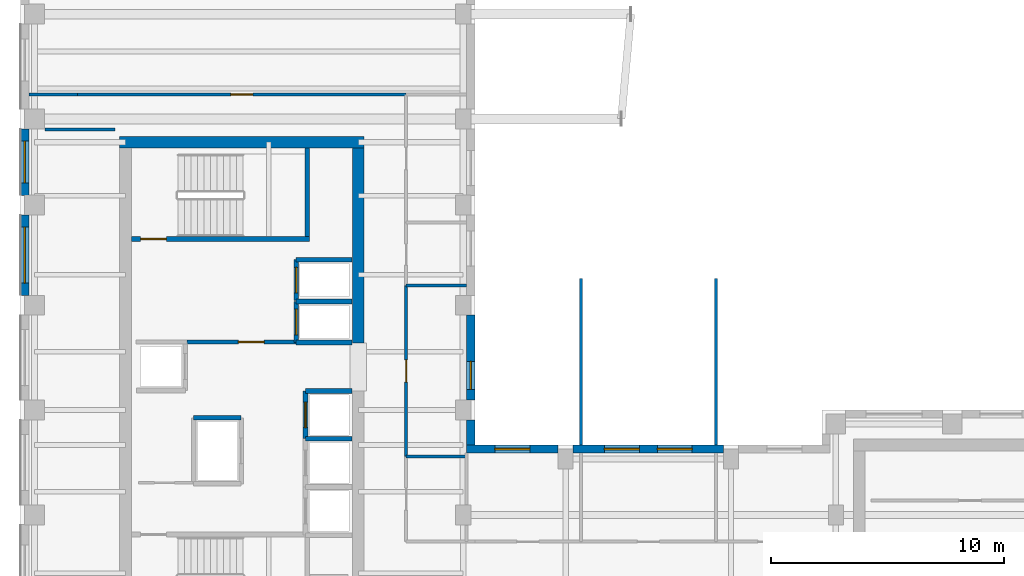
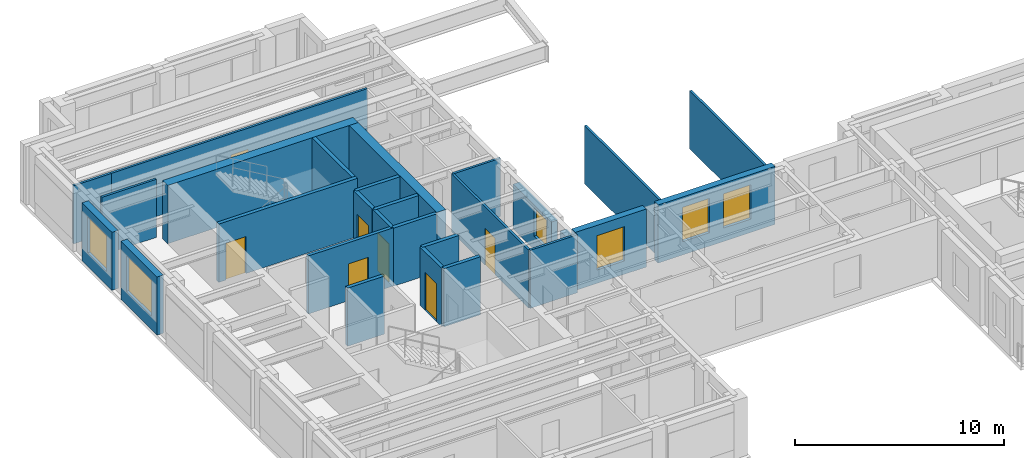
# One storey, part 6 of 11: 28 walls, 7 doors, 6 windows, 13 openings.
"""IFC4 building model written with IfcOpenShell, lengths in metres."""

from ifc_helpers import new_model, si_unit, direction, frame, frame_2d, origin, place, context, subcontext, project, spatial, rectangle, extrude, source, transform, mapped, material, layer, layer_set, type_object, element, fill, save


model = new_model("IFC4")

# Units and contexts
model_context = context("Model", 3, precision=1e-05, world=origin(), true_north=direction((0.0, 1.0)))
body_context = subcontext(model_context, "Body", "Model", "MODEL_VIEW")
ifc_project = project(units=[si_unit("LENGTHUNIT", "METRE"), si_unit("AREAUNIT", "SQUARE_METRE"), si_unit("VOLUMEUNIT", "CUBIC_METRE"), si_unit("PLANEANGLEUNIT", "RADIAN"), si_unit("MASSUNIT", "GRAM", prefix="KILO")], contexts=[model_context])

# Site, building, storey
site_placement = place(None, origin())
site = spatial("IfcSite", under=ifc_project, at=site_placement, CompositionType="ELEMENT")
building_placement = place(site_placement, origin())
building = spatial("IfcBuilding", under=site, at=building_placement, Name="Kharzan Plaza Tower", CompositionType="ELEMENT")
storey_placement = place(building_placement, frame((0.0, 0.0, 234.0)))
storey = spatial("IfcBuildingStorey", under=building, at=storey_placement, Name="L63", CompositionType="ELEMENT", Elevation=234.0)

# Wall, opening, window
ifc_material_1 = material(Name="Concrete C40/50", Category="concrete")
ifc_layer_1 = layer(ifc_material_1, 0.35009765625)
ifc_layer_set_1 = layer_set([ifc_layer_1], Name="Concrete C40/50")
wall_type_1 = type_object("IfcWallType", Name="WL-EXT-MAS-Z4", PredefinedType="SOLIDWALL", material=ifc_layer_set_1)
wall_1_placement = place(storey_placement, frame((19.324951171875, 18.423095703125, 0.0), z_axis=(0.0, 0.0, 1.0), x_axis=(0.0, 1.0, 0.0)))
wall_1 = element("IfcWall", 1, at=wall_1_placement, inside=storey, type_object=wall_type_1, Name="L63 Masonry-Frame Exterior Wall 02", PredefinedType="SOLIDWALL", context=body_context, shape_type="SweptSolid", body=[
    extrude(rectangle(XDim=3.65380859375, YDim=0.35009765625, at=frame_2d((1.826904296875, 0.0))), origin(), (0.0, 0.0, 1.0), 2.618896484375),
])
opening_1_placement = place(wall_1_placement, frame((0.469970703125, 0.0, 0.780029296875)))
opening_1 = element("IfcOpeningElement", 2, at=opening_1_placement, cuts=wall_1, Name="Opening W3", PredefinedType="OPENING", context=body_context, shape_type="SweptSolid", body=[
    extrude(rectangle(XDim=1.199951171875, YDim=1.658935546875, at=frame_2d((0.60009765625, 0.82958984375))), frame((0.0, 0.18505859375, 0.0), z_axis=(0.0, -1.0, 0.0), x_axis=(1.0, 0.0, 0.0)), (0.0, 0.0, 1.0), 0.3701171875),
])
ifc_material_2 = material(Name="Low-E Double Glazing", Category="glass")
window_type_1 = type_object("IfcWindowType", Name="WN-REC-1200x2100", PartitioningType="SINGLE_PANEL", PredefinedType="WINDOW", material=ifc_material_2)
shared_shape_1 = source(origin(), body_context, "Body", "SweptSolid", [
    extrude(rectangle(XDim=1.199951171875, YDim=1.658935546875, at=frame_2d((0.60009765625, 0.82958984375))), frame((0.0, 0.030029296875, 0.0), z_axis=(0.0, -1.0, 0.0), x_axis=(1.0, 0.0, 0.0)), (0.0, 0.0, 1.0), 0.06005859375),
])
window_1_placement = place(opening_1_placement, origin())
window_1 = element("IfcWindow", 3, at=window_1_placement, inside=storey, type_object=window_type_1, Name="L63 Recessed Solar-Control Window 02-1", OverallHeight=1.658935546875, OverallWidth=1.199951171875, PartitioningType="SINGLE_PANEL", PredefinedType="WINDOW", context=body_context, shape_type="MappedRepresentation", body=[
    mapped(shared_shape_1, transform((0.0, 0.0, 0.0), x_axis=(1.0, 0.0, 0.0), y_axis=(0.0, 1.0, 0.0), z_axis=(0.0, 0.0, 1.0))),
])
fill(opening_1, window_1)

wall_2_placement = place(storey_placement, frame((0.175048828125, 30.076904296875, 0.0), z_axis=(0.0, 0.0, 1.0), x_axis=(0.0, -1.0, 0.0)))
wall_2 = element("IfcWall", 4, at=wall_2_placement, inside=storey, type_object=wall_type_1, Name="L63 Masonry-Frame Exterior Wall 17", PredefinedType="SOLIDWALL", context=body_context, shape_type="SweptSolid", body=[
    extrude(rectangle(XDim=2.85400390625, YDim=0.35009765625, at=frame_2d((1.427001953125, 0.0))), origin(), (0.0, 0.0, 1.0), 3.385009765625),
])
opening_2_placement = place(wall_2_placement, frame((0.527099609375, 0.0, 0.780029296875)))
opening_2 = element("IfcOpeningElement", 5, at=opening_2_placement, cuts=wall_2, Name="Opening W1", PredefinedType="OPENING", context=body_context, shape_type="SweptSolid", body=[
    extrude(rectangle(XDim=1.800048828125, YDim=2.10009765625, at=frame_2d((0.89990234375, 1.050048828125))), frame((0.0, 0.18505859375, 0.0), z_axis=(0.0, -1.0, 0.0), x_axis=(1.0, 0.0, 0.0)), (0.0, 0.0, 1.0), 0.3701171875),
])
window_type_2 = type_object("IfcWindowType", Name="WN-REC-1800x2100", PartitioningType="SINGLE_PANEL", PredefinedType="WINDOW", material=ifc_material_2)
shared_shape_2 = source(origin(), body_context, "Body", "SweptSolid", [
    extrude(rectangle(XDim=1.800048828125, YDim=2.10009765625, at=frame_2d((0.89990234375, 1.050048828125))), frame((0.0, 0.030029296875, 0.0), z_axis=(0.0, -1.0, 0.0), x_axis=(1.0, 0.0, 0.0)), (0.0, 0.0, 1.0), 0.06005859375),
])
window_2_placement = place(opening_2_placement, origin())
window_2 = element("IfcWindow", 6, at=window_2_placement, inside=storey, type_object=window_type_2, Name="L63 Recessed Solar-Control Window 17-1", OverallHeight=2.10009765625, OverallWidth=1.800048828125, PartitioningType="SINGLE_PANEL", PredefinedType="WINDOW", context=body_context, shape_type="MappedRepresentation", body=[
    mapped(shared_shape_2, transform((0.0, 0.0, 0.0), x_axis=(1.0, 0.0, 0.0), y_axis=(0.0, 1.0, 0.0), z_axis=(0.0, 0.0, 1.0))),
])
fill(opening_2, window_2)

wall_3_placement = place(storey_placement, frame((0.175048828125, 26.376953125, 0.0), z_axis=(0.0, 0.0, 1.0), x_axis=(0.0, -1.0, 0.0)))
wall_3 = element("IfcWall", 7, at=wall_3_placement, inside=storey, type_object=wall_type_1, Name="L63 Masonry-Frame Exterior Wall 18", PredefinedType="SOLIDWALL", context=body_context, shape_type="SweptSolid", body=[
    extrude(rectangle(XDim=3.453857421875, YDim=0.35009765625, at=frame_2d((1.72705078125, 0.0))), origin(), (0.0, 0.0, 1.0), 3.385009765625),
])
opening_3_placement = place(wall_3_placement, frame((0.527099609375, 0.0, 0.780029296875)))
opening_3 = element("IfcOpeningElement", 8, at=opening_3_placement, cuts=wall_3, Name="Opening W2", PredefinedType="OPENING", context=body_context, shape_type="SweptSolid", body=[
    extrude(rectangle(XDim=2.39990234375, YDim=2.10009765625, at=frame_2d((1.199951171875, 1.050048828125))), frame((0.0, 0.18505859375, 0.0), z_axis=(0.0, -1.0, 0.0), x_axis=(1.0, 0.0, 0.0)), (0.0, 0.0, 1.0), 0.3701171875),
])
window_type_3 = type_object("IfcWindowType", Name="WN-REC-2400x2100", PartitioningType="SINGLE_PANEL", PredefinedType="WINDOW", material=ifc_material_2)
shared_shape_3 = source(origin(), body_context, "Body", "SweptSolid", [
    extrude(rectangle(XDim=2.39990234375, YDim=2.10009765625, at=frame_2d((1.199951171875, 1.050048828125))), frame((0.0, 0.030029296875, 0.0), z_axis=(0.0, -1.0, 0.0), x_axis=(1.0, 0.0, 0.0)), (0.0, 0.0, 1.0), 0.06005859375),
])
window_3_placement = place(opening_3_placement, origin())
window_3 = element("IfcWindow", 9, at=window_3_placement, inside=storey, type_object=window_type_3, Name="L63 Wide Recessed Solar-Control Window 18-1", OverallHeight=2.10009765625, OverallWidth=2.39990234375, PartitioningType="SINGLE_PANEL", PredefinedType="WINDOW", context=body_context, shape_type="MappedRepresentation", body=[
    mapped(shared_shape_3, transform((0.0, 0.0, 0.0), x_axis=(1.0, 0.0, 0.0), y_axis=(0.0, 1.0, 0.0), z_axis=(0.0, 0.0, 1.0))),
])
fill(opening_3, window_3)

# Wall, openings, windows
wall_4_placement = place(storey_placement, frame((30.177001953125, 16.324951171875, 0.0), z_axis=(0.0, 0.0, 1.0), x_axis=(-1.0, 0.0, 0.0)))
wall_4 = element("IfcWall", 10, at=wall_4_placement, inside=storey, type_object=wall_type_1, Name="L63 Masonry-Frame Exterior Wall 49", PredefinedType="SOLIDWALL", context=body_context, shape_type="SweptSolid", body=[
    extrude(rectangle(XDim=6.4541015625, YDim=0.35009765625, at=frame_2d((3.22705078125, 0.0))), origin(), (0.0, 0.0, 1.0), 3.385009765625),
])
opening_4_placement = place(wall_4_placement, frame((1.34375, 0.0, 0.780029296875)))
opening_4 = element("IfcOpeningElement", 11, at=opening_4_placement, cuts=wall_4, Name="Opening W5", PredefinedType="OPENING", context=body_context, shape_type="SweptSolid", body=[
    extrude(rectangle(XDim=1.5, YDim=2.0, at=frame_2d((0.75, 1.0))), frame((0.0, 0.18505859375, 0.0), z_axis=(0.0, -1.0, 0.0), x_axis=(1.0, 0.0, 0.0)), (0.0, 0.0, 1.0), 0.3701171875),
])
opening_5_placement = place(wall_4_placement, frame((3.6103515625, 0.0, 0.780029296875)))
opening_5 = element("IfcOpeningElement", 12, at=opening_5_placement, cuts=wall_4, Name="Opening W5", PredefinedType="OPENING", context=body_context, shape_type="SweptSolid", body=[
    extrude(rectangle(XDim=1.5, YDim=2.0, at=frame_2d((0.75, 1.0))), frame((0.0, 0.18505859375, 0.0), z_axis=(0.0, -1.0, 0.0), x_axis=(1.0, 0.0, 0.0)), (0.0, 0.0, 1.0), 0.3701171875),
])
window_type_4 = type_object("IfcWindowType", Name="WN-SLT-1500x2000", PartitioningType="SINGLE_PANEL", PredefinedType="WINDOW", material=ifc_material_2)
shared_shape_4 = source(origin(), body_context, "Body", "SweptSolid", [
    extrude(rectangle(XDim=1.5, YDim=2.0, at=frame_2d((0.75, 1.0))), frame((0.0, 0.030029296875, 0.0), z_axis=(0.0, -1.0, 0.0), x_axis=(1.0, 0.0, 0.0)), (0.0, 0.0, 1.0), 0.06005859375),
])
window_4_placement = place(opening_4_placement, origin())
window_4 = element("IfcWindow", 13, at=window_4_placement, inside=storey, type_object=window_type_4, Name="L63 Recessed Solar-Control Window 49-1", OverallHeight=2.0, OverallWidth=1.5, PartitioningType="SINGLE_PANEL", PredefinedType="WINDOW", context=body_context, shape_type="MappedRepresentation", body=[
    mapped(shared_shape_4, transform((0.0, 0.0, 0.0), x_axis=(1.0, 0.0, 0.0), y_axis=(0.0, 1.0, 0.0), z_axis=(0.0, 0.0, 1.0))),
])
fill(opening_4, window_4)
window_5_placement = place(opening_5_placement, origin())
window_5 = element("IfcWindow", 14, at=window_5_placement, inside=storey, type_object=window_type_4, Name="L63 Recessed Solar-Control Window 49-2", OverallHeight=2.0, OverallWidth=1.5, PartitioningType="SINGLE_PANEL", PredefinedType="WINDOW", context=body_context, shape_type="MappedRepresentation", body=[
    mapped(shared_shape_4, transform((0.0, 0.0, 0.0), x_axis=(1.0, 0.0, 0.0), y_axis=(0.0, 1.0, 0.0), z_axis=(0.0, 0.0, 1.0))),
])
fill(opening_5, window_5)

# Wall, opening, window
wall_5_placement = place(storey_placement, frame((23.076904296875, 16.324951171875, 0.0), z_axis=(0.0, 0.0, 1.0), x_axis=(-1.0, 0.0, 0.0)))
wall_5 = element("IfcWall", 15, at=wall_5_placement, inside=storey, type_object=wall_type_1, Name="L63 Masonry-Frame Exterior Wall 50", PredefinedType="SOLIDWALL", context=body_context, shape_type="SweptSolid", body=[
    extrude(rectangle(XDim=3.927001953125, YDim=0.35009765625, at=frame_2d((1.96337890625, 0.0))), origin(), (0.0, 0.0, 1.0), 3.385009765625),
])
opening_6_placement = place(wall_5_placement, frame((1.21337890625, 0.0, 0.780029296875)))
opening_6 = element("IfcOpeningElement", 16, at=opening_6_placement, cuts=wall_5, Name="Opening W5", PredefinedType="OPENING", context=body_context, shape_type="SweptSolid", body=[
    extrude(rectangle(XDim=1.5, YDim=2.0, at=frame_2d((0.75, 1.0))), frame((0.0, 0.18505859375, 0.0), z_axis=(0.0, -1.0, 0.0), x_axis=(1.0, 0.0, 0.0)), (0.0, 0.0, 1.0), 0.3701171875),
])
window_6_placement = place(opening_6_placement, origin())
window_6 = element("IfcWindow", 17, at=window_6_placement, inside=storey, type_object=window_type_4, Name="L63 Recessed Solar-Control Window 50-1", OverallHeight=2.0, OverallWidth=1.5, PartitioningType="SINGLE_PANEL", PredefinedType="WINDOW", context=body_context, shape_type="MappedRepresentation", body=[
    mapped(shared_shape_4, transform((0.0, 0.0, 0.0), x_axis=(1.0, 0.0, 0.0), y_axis=(0.0, 1.0, 0.0), z_axis=(0.0, 0.0, 1.0))),
])
fill(opening_6, window_6)

# Wall, opening, door
ifc_layer_2 = layer(ifc_material_1, 0.179931640625)
ifc_layer_set_2 = layer_set([ifc_layer_2], Name="Concrete C40/50")
wall_type_2 = type_object("IfcWallType", Name="WL-INT-FIRE-180", PredefinedType="PARTITIONING", material=ifc_layer_set_2)
wall_6_placement = place(storey_placement, frame((7.14990234375, 20.919921875, 0.0), z_axis=(0.0, 0.0, 1.0), x_axis=(1.0, 0.0, 0.0)))
wall_6 = element("IfcWall", 18, at=wall_6_placement, inside=storey, type_object=wall_type_2, Name="L63 Interior Partition CA-FF-S", PredefinedType="PARTITIONING", context=body_context, shape_type="SweptSolid", body=[
    extrude(rectangle(XDim=4.68017578125, YDim=0.179931640625, at=frame_2d((2.340087890625, 0.0))), origin(), (0.0, 0.0, 1.0), 3.385009765625),
])
opening_7_placement = place(wall_6_placement, frame((2.199951171875, 0.0, 0.0)))
opening_7 = element("IfcOpeningElement", 19, at=opening_7_placement, cuts=wall_6, Name="Opening FD1", PredefinedType="OPENING", context=body_context, shape_type="SweptSolid", body=[
    extrude(rectangle(XDim=1.10009765625, YDim=2.14990234375, at=frame_2d((0.550048828125, 1.074951171875))), frame((0.0, 0.099853515625, 0.0), z_axis=(0.0, -1.0, 0.0), x_axis=(1.0, 0.0, 0.0)), (0.0, 0.0, 1.0), 0.199951171875),
])
ifc_material_3 = material(Name="Fire-Rated Acoustic Vision-Panel Steel", Category="steel")
door_type_1 = type_object("IfcDoorType", Name="DR-FIRE-LOBBY", OperationType="NOTDEFINED", PredefinedType="DOOR", material=ifc_material_3)
shared_shape_5 = source(origin(), body_context, "Body", "SweptSolid", [
    extrude(rectangle(XDim=1.10009765625, YDim=2.14990234375, at=frame_2d((0.550048828125, 1.074951171875))), frame((0.0, 0.02490234375, 0.0), z_axis=(0.0, -1.0, 0.0), x_axis=(1.0, 0.0, 0.0)), (0.0, 0.0, 1.0), 0.050048828125),
])
door_1_placement = place(opening_7_placement, origin())
door_1 = element("IfcDoor", 20, at=door_1_placement, inside=storey, type_object=door_type_1, Name="L63 Firefighting Lobby Door", OperationType="SINGLE_SWING_RIGHT", OverallHeight=2.14990234375, OverallWidth=1.10009765625, PredefinedType="DOOR", context=body_context, shape_type="MappedRepresentation", body=[
    mapped(shared_shape_5, transform((0.0, 0.0, 0.0), x_axis=(1.0, 0.0, 0.0), y_axis=(0.0, 1.0, 0.0), z_axis=(0.0, 0.0, 1.0))),
])
fill(opening_7, door_1)

ifc_material_4 = material(Name="Fire-Rated Gypsum Board Partition", Category="gypsum")
ifc_layer_3 = layer(ifc_material_4, 0.125)
ifc_layer_set_3 = layer_set([ifc_layer_3], Name="Fire-Rated Gypsum Board Partition")
wall_type_3 = type_object("IfcWallType", Name="WL-INT-PART-125", PredefinedType="PARTITIONING", material=ifc_layer_set_3)
wall_7_placement = place(storey_placement, frame((16.550048828125, 16.0, 0.0), z_axis=(0.0, 0.0, 1.0), x_axis=(0.0, 1.0, 0.0)))
wall_7 = element("IfcWall", 21, at=wall_7_placement, inside=storey, type_object=wall_type_3, Name="L63 Interior Partition SH-AEWN2", PredefinedType="PARTITIONING", context=body_context, shape_type="SweptSolid", body=[
    extrude(rectangle(XDim=7.35009765625, YDim=0.125, at=frame_2d((3.675048828125, 0.0))), origin(), (0.0, 0.0, 1.0), 3.385009765625),
])
opening_8_placement = place(wall_7_placement, frame((3.199951171875, 0.0, 0.0)))
opening_8 = element("IfcOpeningElement", 22, at=opening_8_placement, cuts=wall_7, Name="Opening OD1", PredefinedType="OPENING", context=body_context, shape_type="SweptSolid", body=[
    extrude(rectangle(XDim=0.949951171875, YDim=2.14990234375, at=frame_2d((0.47509765625, 1.074951171875))), frame((0.0, 0.072509765625, 0.0), z_axis=(0.0, -1.0, 0.0), x_axis=(1.0, 0.0, 0.0)), (0.0, 0.0, 1.0), 0.14501953125),
])
ifc_material_5 = material(Name="Acoustic Solid-Core Stained Oak", Category="timber")
door_type_2 = type_object("IfcDoorType", Name="DR-OFF-SINGLE", OperationType="NOTDEFINED", PredefinedType="DOOR", material=ifc_material_5)
shared_shape_6 = source(origin(), body_context, "Body", "SweptSolid", [
    extrude(rectangle(XDim=0.949951171875, YDim=2.14990234375, at=frame_2d((0.47509765625, 1.074951171875))), frame((0.0, 0.02490234375, 0.0), z_axis=(0.0, -1.0, 0.0), x_axis=(1.0, 0.0, 0.0)), (0.0, 0.0, 1.0), 0.050048828125),
])
door_2_placement = place(opening_8_placement, origin())
door_2 = element("IfcDoor", 23, at=door_2_placement, inside=storey, type_object=door_type_2, Name="L63 Slot Studio Door", OperationType="SINGLE_SWING_LEFT", OverallHeight=2.14990234375, OverallWidth=0.949951171875, PredefinedType="DOOR", context=body_context, shape_type="MappedRepresentation", body=[
    mapped(shared_shape_6, transform((0.0, 0.0, 0.0), x_axis=(1.0, 0.0, 0.0), y_axis=(0.0, 1.0, 0.0), z_axis=(0.0, 0.0, 1.0))),
])
fill(opening_8, door_2)

wall_8_placement = place(storey_placement, frame((2.449951171875, 31.550048828125, 0.0), z_axis=(0.0, 0.0, 1.0), x_axis=(1.0, 0.0, 0.0)))
wall_8 = element("IfcWall", 24, at=wall_8_placement, inside=storey, type_object=wall_type_3, Name="L63 Interior Partition SH-NN-1", PredefinedType="PARTITIONING", context=body_context, shape_type="SweptSolid", body=[
    extrude(rectangle(XDim=14.10009765625, YDim=0.125, at=frame_2d((7.050048828125, 0.0))), origin(), (0.0, 0.0, 1.0), 3.385009765625),
])
opening_9_placement = place(wall_8_placement, frame((6.574951171875, 0.0, 0.0)))
opening_9 = element("IfcOpeningElement", 25, at=opening_9_placement, cuts=wall_8, Name="Opening OD1", PredefinedType="OPENING", context=body_context, shape_type="SweptSolid", body=[
    extrude(rectangle(XDim=0.949951171875, YDim=2.14990234375, at=frame_2d((0.47509765625, 1.074951171875))), frame((0.0, 0.072509765625, 0.0), z_axis=(0.0, -1.0, 0.0), x_axis=(1.0, 0.0, 0.0)), (0.0, 0.0, 1.0), 0.14501953125),
])
door_3_placement = place(opening_9_placement, origin())
door_3 = element("IfcDoor", 26, at=door_3_placement, inside=storey, type_object=door_type_2, Name="L63 Staff Tea Pantry Door", OperationType="SINGLE_SWING_RIGHT", OverallHeight=2.14990234375, OverallWidth=0.949951171875, PredefinedType="DOOR", context=body_context, shape_type="MappedRepresentation", body=[
    mapped(shared_shape_6, transform((0.0, 0.0, 0.0), x_axis=(1.0, 0.0, 0.0), y_axis=(0.0, 1.0, 0.0), z_axis=(0.0, 0.0, 1.0))),
])
fill(opening_9, door_3)

ifc_layer_4 = layer(ifc_material_1, 0.199951171875)
ifc_layer_set_4 = layer_set([ifc_layer_4], Name="Concrete C40/50")
wall_type_4 = type_object("IfcWallType", Name="WL-INT-SHAFT-200", PredefinedType="PARTITIONING", material=ifc_layer_set_4)
wall_9_placement = place(storey_placement, frame((11.830078125, 20.89990234375, 0.0), z_axis=(0.0, 0.0, 1.0), x_axis=(0.0, 1.0, 0.0)))
wall_9 = element("IfcWall", 27, at=wall_9_placement, inside=storey, type_object=wall_type_4, Name="L63 Interior Partition SHF-FFL-1-W", PredefinedType="PARTITIONING", context=body_context, shape_type="SweptSolid", body=[
    extrude(rectangle(XDim=1.760009765625, YDim=0.199951171875, at=frame_2d((0.8798828125, 0.0))), origin(), (0.0, 0.0, 1.0), 3.385009765625),
])
opening_10_placement = place(wall_9_placement, frame((0.330078125, 0.0, 0.0)))
opening_10 = element("IfcOpeningElement", 28, at=opening_10_placement, cuts=wall_9, Name="Opening LD", PredefinedType="OPENING", context=body_context, shape_type="SweptSolid", body=[
    extrude(rectangle(XDim=1.10009765625, YDim=2.199951171875, at=frame_2d((0.550048828125, 1.10009765625))), frame((0.0, 0.10986328125, 0.0), z_axis=(0.0, -1.0, 0.0), x_axis=(1.0, 0.0, 0.0)), (0.0, 0.0, 1.0), 0.219970703125),
])
ifc_material_6 = material(Name="Brushed Stainless Steel", Category="steel")
door_type_3 = type_object("IfcDoorType", Name="DR-LIFT-SLIDE", OperationType="SLIDING_TO_LEFT", PredefinedType="DOOR", material=ifc_material_6)
shared_shape_7 = source(origin(), body_context, "Body", "SweptSolid", [
    extrude(rectangle(XDim=1.10009765625, YDim=2.199951171875, at=frame_2d((0.550048828125, 1.10009765625))), frame((0.0, 0.02490234375, 0.0), z_axis=(0.0, -1.0, 0.0), x_axis=(1.0, 0.0, 0.0)), (0.0, 0.0, 1.0), 0.050048828125),
])
door_4_placement = place(opening_10_placement, origin())
door_4 = element("IfcDoor", 29, at=door_4_placement, inside=storey, type_object=door_type_3, Name="L63 Firefighting Lift FFL-1 Sliding Landing Door", OperationType="SLIDING_TO_LEFT", OverallHeight=2.199951171875, OverallWidth=1.10009765625, PredefinedType="DOOR", context=body_context, shape_type="MappedRepresentation", body=[
    mapped(shared_shape_7, transform((0.0, 0.0, 0.0), x_axis=(1.0, 0.0, 0.0), y_axis=(0.0, 1.0, 0.0), z_axis=(0.0, 0.0, 1.0))),
])
fill(opening_10, door_4)

wall_10_placement = place(storey_placement, frame((11.830078125, 22.699951171875, 0.0), z_axis=(0.0, 0.0, 1.0), x_axis=(0.0, 1.0, 0.0)))
wall_10 = element("IfcWall", 30, at=wall_10_placement, inside=storey, type_object=wall_type_4, Name="L63 Interior Partition SHF-FFL-2-W", PredefinedType="PARTITIONING", context=body_context, shape_type="SweptSolid", body=[
    extrude(rectangle(XDim=1.760009765625, YDim=0.199951171875, at=frame_2d((0.8798828125, 0.0))), origin(), (0.0, 0.0, 1.0), 3.385009765625),
])
opening_11_placement = place(wall_10_placement, frame((0.330078125, 0.0, 0.0)))
opening_11 = element("IfcOpeningElement", 31, at=opening_11_placement, cuts=wall_10, Name="Opening LD", PredefinedType="OPENING", context=body_context, shape_type="SweptSolid", body=[
    extrude(rectangle(XDim=1.10009765625, YDim=2.199951171875, at=frame_2d((0.550048828125, 1.10009765625))), frame((0.0, 0.10986328125, 0.0), z_axis=(0.0, -1.0, 0.0), x_axis=(1.0, 0.0, 0.0)), (0.0, 0.0, 1.0), 0.219970703125),
])
door_5_placement = place(opening_11_placement, origin())
door_5 = element("IfcDoor", 32, at=door_5_placement, inside=storey, type_object=door_type_3, Name="L63 Firefighting Lift FFL-2 Sliding Landing Door", OperationType="SLIDING_TO_LEFT", OverallHeight=2.199951171875, OverallWidth=1.10009765625, PredefinedType="DOOR", context=body_context, shape_type="MappedRepresentation", body=[
    mapped(shared_shape_7, transform((0.0, 0.0, 0.0), x_axis=(1.0, 0.0, 0.0), y_axis=(0.0, 1.0, 0.0), z_axis=(0.0, 0.0, 1.0))),
])
fill(opening_11, door_5)

wall_11_placement = place(storey_placement, frame((12.22998046875, 16.77001953125, 0.0), z_axis=(0.0, 0.0, 1.0), x_axis=(0.0, 1.0, 0.0)))
wall_11 = element("IfcWall", 33, at=wall_11_placement, inside=storey, type_object=wall_type_4, Name="L63 Interior Partition SHF-PL-H3-W", PredefinedType="PARTITIONING", context=body_context, shape_type="SweptSolid", body=[
    extrude(rectangle(XDim=2.050048828125, YDim=0.199951171875, at=frame_2d((1.02490234375, 0.0))), origin(), (0.0, 0.0, 1.0), 3.385009765625),
])
opening_12_placement = place(wall_11_placement, frame((0.47509765625, 0.0, 0.0)))
opening_12 = element("IfcOpeningElement", 34, at=opening_12_placement, cuts=wall_11, Name="Opening LD", PredefinedType="OPENING", context=body_context, shape_type="SweptSolid", body=[
    extrude(rectangle(XDim=1.10009765625, YDim=2.199951171875, at=frame_2d((0.550048828125, 1.10009765625))), frame((0.0, 0.10986328125, 0.0), z_axis=(0.0, -1.0, 0.0), x_axis=(1.0, 0.0, 0.0)), (0.0, 0.0, 1.0), 0.219970703125),
])
door_6_placement = place(opening_12_placement, origin())
door_6 = element("IfcDoor", 35, at=door_6_placement, inside=storey, type_object=door_type_3, Name="L63 High-Rise Passenger Lift PL-H3 Sliding Landing Door", OperationType="SLIDING_TO_LEFT", OverallHeight=2.199951171875, OverallWidth=1.10009765625, PredefinedType="DOOR", context=body_context, shape_type="MappedRepresentation", body=[
    mapped(shared_shape_7, transform((0.0, 0.0, 0.0), x_axis=(1.0, 0.0, 0.0), y_axis=(0.0, 1.0, 0.0), z_axis=(0.0, 0.0, 1.0))),
])
fill(opening_12, door_6)

ifc_material_7 = material(Name="Concrete C50/60", Category="concrete")
ifc_layer_5 = layer(ifc_material_7, 0.199951171875)
ifc_layer_set_5 = layer_set([ifc_layer_5], Name="Concrete C50/60")
wall_type_5 = type_object("IfcWallType", Name="WL-SHAFT-RC200", PredefinedType="SHEAR", material=ifc_layer_set_5)
wall_12_placement = place(storey_placement, frame((4.751953125, 25.344970703125, 0.0), z_axis=(0.0, 0.0, 1.0), x_axis=(1.0, 0.0, 0.0)))
wall_12 = element("IfcWall", 36, at=wall_12_placement, inside=storey, type_object=wall_type_5, Name="L63 Stair ST-2 South RC Shaft Wall", PredefinedType="SHEAR", context=body_context, shape_type="SweptSolid", body=[
    extrude(rectangle(XDim=7.653076171875, YDim=0.199951171875, at=frame_2d((3.82666015625, 0.0))), origin(), (0.0, 0.0, 1.0), 3.39990234375),
])
opening_13_placement = place(wall_12_placement, frame((0.39990234375, 0.0, 0.0)))
opening_13 = element("IfcOpeningElement", 37, at=opening_13_placement, cuts=wall_12, Name="Opening SD1", PredefinedType="OPENING", context=body_context, shape_type="SweptSolid", body=[
    extrude(rectangle(XDim=1.10009765625, YDim=2.14990234375, at=frame_2d((0.550048828125, 1.074951171875))), frame((0.0, 0.10986328125, 0.0), z_axis=(0.0, -1.0, 0.0), x_axis=(1.0, 0.0, 0.0)), (0.0, 0.0, 1.0), 0.219970703125),
])
ifc_material_8 = material(Name="Fire-Rated Hollow Galvanized Steel", Category="steel")
door_type_4 = type_object("IfcDoorType", Name="DR-STAIR-FD120", OperationType="NOTDEFINED", PredefinedType="DOOR", material=ifc_material_8)
shared_shape_8 = source(origin(), body_context, "Body", "SweptSolid", [
    extrude(rectangle(XDim=1.10009765625, YDim=2.14990234375, at=frame_2d((0.550048828125, 1.074951171875))), frame((0.0, 0.02490234375, 0.0), z_axis=(0.0, -1.0, 0.0), x_axis=(1.0, 0.0, 0.0)), (0.0, 0.0, 1.0), 0.050048828125),
])
door_7_placement = place(opening_13_placement, origin())
door_7 = element("IfcDoor", 38, at=door_7_placement, inside=storey, type_object=door_type_4, Name="L63 Stair ST-2 Fire Exit Door", OperationType="SINGLE_SWING_LEFT", OverallHeight=2.14990234375, OverallWidth=1.10009765625, PredefinedType="DOOR", context=body_context, shape_type="MappedRepresentation", body=[
    mapped(shared_shape_8, transform((0.0, 0.0, 0.0), x_axis=(1.0, 0.0, 0.0), y_axis=(0.0, 1.0, 0.0), z_axis=(0.0, 0.0, 1.0))),
])
fill(opening_13, door_7)

# Walls
shared_shape_9 = source(origin(), body_context, "Body", "SweptSolid", [
    extrude(rectangle(XDim=2.097900390625, YDim=0.125, at=frame_2d((1.048828125, 0.0))), origin(), (0.0, 0.0, 1.0), 3.385009765625),
])
wall_13_placement = place(storey_placement, frame((0.35205078125, 31.550048828125, 0.0), z_axis=(0.0, 0.0, 1.0), x_axis=(1.0, 0.0, 0.0)))
element("IfcWall", 39, at=wall_13_placement, inside=storey, type_object=wall_type_3, Name="L63 Interior Partition SH-NNW0", PredefinedType="PARTITIONING", context=body_context, shape_type="MappedRepresentation", body=[
    mapped(shared_shape_9, transform((0.0, 0.0, 0.0), x_axis=(1.0, 0.0, 0.0), y_axis=(0.0, 1.0, 0.0), z_axis=(0.0, 0.0, 1.0))),
])
shared_shape_10 = source(origin(), body_context, "Body", "SweptSolid", [
    extrude(rectangle(XDim=2.0400390625, YDim=0.199951171875, at=frame_2d((1.02001953125, 0.0))), origin(), (0.0, 0.0, 1.0), 3.385009765625),
])
wall_14_placement = place(storey_placement, frame((7.429931640625, 17.669921875, 0.0), z_axis=(0.0, 0.0, 1.0), x_axis=(1.0, 0.0, 0.0)))
element("IfcWall", 40, at=wall_14_placement, inside=storey, type_object=wall_type_4, Name="L63 Interior Partition SHF-SVL-1-N", PredefinedType="PARTITIONING", context=body_context, shape_type="MappedRepresentation", body=[
    mapped(shared_shape_10, transform((0.0, 0.0, 0.0), x_axis=(1.0, 0.0, 0.0), y_axis=(0.0, 1.0, 0.0), z_axis=(0.0, 0.0, 1.0))),
])
shared_shape_11 = source(origin(), body_context, "Body", "SweptSolid", [
    extrude(rectangle(XDim=2.597900390625, YDim=0.125, at=frame_2d((1.298828125, 0.0))), origin(), (0.0, 0.0, 1.0), 3.385009765625),
])
wall_15_placement = place(storey_placement, frame((16.550048828125, 23.35009765625, 0.0), z_axis=(0.0, 0.0, 1.0), x_axis=(1.0, 0.0, 0.0)))
element("IfcWall", 41, at=wall_15_placement, inside=storey, type_object=wall_type_3, Name="L63 Interior Partition SH-AEH-233", PredefinedType="PARTITIONING", context=body_context, shape_type="MappedRepresentation", body=[
    mapped(shared_shape_11, transform((0.0, 0.0, 0.0), x_axis=(1.0, 0.0, 0.0), y_axis=(0.0, 1.0, 0.0), z_axis=(0.0, 0.0, 1.0))),
])
shared_shape_12 = source(origin(), body_context, "Body", "SweptSolid", [
    extrude(rectangle(XDim=2.599853515625, YDim=0.125, at=frame_2d((1.2998046875, 0.0))), origin(), (0.0, 0.0, 1.0), 3.385009765625),
])
wall_16_placement = place(storey_placement, frame((16.550048828125, 16.0, 0.0), z_axis=(0.0, 0.0, 1.0), x_axis=(1.0, 0.0, 0.0)))
element("IfcWall", 42, at=wall_16_placement, inside=storey, type_object=wall_type_3, Name="L63 Interior Partition SH-AEH-160", PredefinedType="PARTITIONING", context=body_context, shape_type="MappedRepresentation", body=[
    mapped(shared_shape_12, transform((0.0, 0.0, 0.0), x_axis=(1.0, 0.0, 0.0), y_axis=(0.0, 1.0, 0.0), z_axis=(0.0, 0.0, 1.0))),
])
shared_shape_13 = source(origin(), body_context, "Body", "SweptSolid", [
    extrude(rectangle(XDim=3.0, YDim=0.125, at=frame_2d((1.5, 0.0))), origin(), (0.0, 0.0, 1.0), 3.385009765625),
])
wall_17_placement = place(storey_placement, frame((1.050048828125, 30.050048828125, 0.0), z_axis=(0.0, 0.0, 1.0), x_axis=(1.0, 0.0, 0.0)))
element("IfcWall", 43, at=wall_17_placement, inside=storey, type_object=wall_type_3, Name="L63 Interior Partition SH-RWN0", PredefinedType="PARTITIONING", context=body_context, shape_type="MappedRepresentation", body=[
    mapped(shared_shape_13, transform((0.0, 0.0, 0.0), x_axis=(1.0, 0.0, 0.0), y_axis=(0.0, 1.0, 0.0), z_axis=(0.0, 0.0, 1.0))),
])
shared_shape_14 = source(origin(), body_context, "Body", "SweptSolid", [
    extrude(rectangle(XDim=2.389892578125, YDim=0.199951171875, at=frame_2d((1.19482421875, 0.0))), origin(), (0.0, 0.0, 1.0), 3.385009765625),
])
for number, where, z_axis, x_axis, name in (
    (44, (11.830078125, 22.659912109375, 0.0), (0.0, 0.0, 1.0), (1.0, 0.0, 0.0), "L63 Interior Partition SHF-FFL-1-N"),
    (45, (11.830078125, 20.89990234375, 0.0), (0.0, 0.0, 1.0), (1.0, 0.0, 0.0), "L63 Interior Partition SHF-FFL-1-S"),
    (46, (11.830078125, 24.4599609375, 0.0), (0.0, 0.0, 1.0), (1.0, 0.0, 0.0), "L63 Interior Partition SHF-FFL-2-N"),
):
    element("IfcWall", number, at=place(storey_placement, frame(where, z_axis=z_axis, x_axis=x_axis)), inside=storey, type_object=wall_type_4, Name=name, PredefinedType="PARTITIONING", context=body_context, shape_type="MappedRepresentation", body=[
        mapped(shared_shape_14, transform((0.0, 0.0, 0.0), x_axis=(1.0, 0.0, 0.0), y_axis=(0.0, 1.0, 0.0), z_axis=(0.0, 0.0, 1.0))),
    ])
shared_shape_15 = source(origin(), body_context, "Body", "SweptSolid", [
    extrude(rectangle(XDim=1.989990234375, YDim=0.199951171875, at=frame_2d((0.9951171875, 0.0))), origin(), (0.0, 0.0, 1.0), 3.385009765625),
])
for number, where, z_axis, x_axis, name in (
    (47, (12.22998046875, 16.77001953125, 0.0), (0.0, 0.0, 1.0), (1.0, 0.0, 0.0), "L63 Interior Partition SHF-PL-H2-N"),
    (48, (12.22998046875, 18.820068359375, 0.0), (0.0, 0.0, 1.0), (1.0, 0.0, 0.0), "L63 Interior Partition SHF-PL-H3-N"),
):
    element("IfcWall", number, at=place(storey_placement, frame(where, z_axis=z_axis, x_axis=x_axis)), inside=storey, type_object=wall_type_4, Name=name, PredefinedType="PARTITIONING", context=body_context, shape_type="MappedRepresentation", body=[
        mapped(shared_shape_15, transform((0.0, 0.0, 0.0), x_axis=(1.0, 0.0, 0.0), y_axis=(0.0, 1.0, 0.0), z_axis=(0.0, 0.0, 1.0))),
    ])
ifc_layer_6 = layer(ifc_material_7, 0.5)
ifc_layer_set_6 = layer_set([ifc_layer_6], Name="Concrete C50/60")
wall_type_6 = type_object("IfcWallType", Name="WL-CORE-500", PredefinedType="SHEAR", material=ifc_layer_set_6)
shared_shape_16 = source(origin(), body_context, "Body", "SweptSolid", [
    extrude(rectangle(XDim=8.3701171875, YDim=0.5, at=frame_2d((4.18505859375, 0.0))), origin(), (0.0, 0.0, 1.0), 3.39990234375),
])
wall_18_placement = place(storey_placement, frame((14.5, 20.8798828125, 0.0), z_axis=(0.0, 0.0, 1.0), x_axis=(0.0, 1.0, 0.0)))
element("IfcWall", 49, at=wall_18_placement, inside=storey, type_object=wall_type_6, Name="L63 CORE-A east shear pier 2", PredefinedType="SHEAR", context=body_context, shape_type="MappedRepresentation", body=[
    mapped(shared_shape_16, transform((0.0, 0.0, 0.0), x_axis=(1.0, 0.0, 0.0), y_axis=(0.0, 1.0, 0.0), z_axis=(0.0, 0.0, 1.0))),
])
shared_shape_17 = source(origin(), body_context, "Body", "SweptSolid", [
    extrude(rectangle(XDim=10.5, YDim=0.5, at=frame_2d((5.25, 0.0))), origin(), (0.0, 0.0, 1.0), 3.39990234375),
])
wall_19_placement = place(storey_placement, frame((4.25, 29.5, 0.0), z_axis=(0.0, 0.0, 1.0), x_axis=(1.0, 0.0, 0.0)))
element("IfcWall", 50, at=wall_19_placement, inside=storey, type_object=wall_type_6, Name="L63 CORE-A north RC shear wall", PredefinedType="SHEAR", context=body_context, shape_type="MappedRepresentation", body=[
    mapped(shared_shape_17, transform((0.0, 0.0, 0.0), x_axis=(1.0, 0.0, 0.0), y_axis=(0.0, 1.0, 0.0), z_axis=(0.0, 0.0, 1.0))),
])
shared_shape_18 = source(origin(), body_context, "Body", "SweptSolid", [
    extrude(rectangle(XDim=3.802978515625, YDim=0.199951171875, at=frame_2d((1.9013671875, 0.0))), origin(), (0.0, 0.0, 1.0), 3.39990234375),
])
wall_20_placement = place(storey_placement, frame((12.304931640625, 25.445068359375, 0.0), z_axis=(0.0, 0.0, 1.0), x_axis=(0.0, 1.0, 0.0)))
element("IfcWall", 51, at=wall_20_placement, inside=storey, type_object=wall_type_5, Name="L63 Stair ST-2 East RC Shaft Wall", PredefinedType="SHEAR", context=body_context, shape_type="MappedRepresentation", body=[
    mapped(shared_shape_18, transform((0.0, 0.0, 0.0), x_axis=(1.0, 0.0, 0.0), y_axis=(0.0, 1.0, 0.0), z_axis=(0.0, 0.0, 1.0))),
])
shared_shape_19 = source(origin(), body_context, "Body", "SweptSolid", [
    extrude(rectangle(XDim=7.14794921875, YDim=0.125, at=frame_2d((3.573974609375, 0.0))), origin(), (0.0, 0.0, 1.0), 3.385009765625),
])
for number, where, z_axis, x_axis, name in (
    (52, (24.050048828125, 16.501953125, 0.0), (0.0, 0.0, 1.0), (0.0, 1.0, 0.0), "L63 Interior Partition SH-SPML-S2"),
    (53, (29.85009765625, 16.501953125, 0.0), (0.0, 0.0, 1.0), (0.0, 1.0, 0.0), "L63 Interior Partition SH-SPMR-S2"),
):
    element("IfcWall", number, at=place(storey_placement, frame(where, z_axis=z_axis, x_axis=x_axis)), inside=storey, type_object=wall_type_3, Name=name, PredefinedType="PARTITIONING", context=body_context, shape_type="MappedRepresentation", body=[
        mapped(shared_shape_19, transform((0.0, 0.0, 0.0), x_axis=(1.0, 0.0, 0.0), y_axis=(0.0, 1.0, 0.0), z_axis=(0.0, 0.0, 1.0))),
    ])
shared_shape_20 = source(origin(), body_context, "Body", "SweptSolid", [
    extrude(rectangle(XDim=1.078857421875, YDim=0.35009765625, at=frame_2d((0.53955078125, 0.0))), origin(), (0.0, 0.0, 1.0), 2.618896484375),
])
wall_21_placement = place(storey_placement, frame((19.324951171875, 16.498046875, 0.0), z_axis=(0.0, 0.0, 1.0), x_axis=(0.0, 1.0, 0.0)))
element("IfcWall", 54, at=wall_21_placement, inside=storey, type_object=wall_type_1, Name="L63 Masonry-Frame Exterior Wall 01", PredefinedType="SOLIDWALL", context=body_context, shape_type="MappedRepresentation", body=[
    mapped(shared_shape_20, transform((0.0, 0.0, 0.0), x_axis=(1.0, 0.0, 0.0), y_axis=(0.0, 1.0, 0.0), z_axis=(0.0, 0.0, 1.0))),
])

save(model, "model.ifc")
